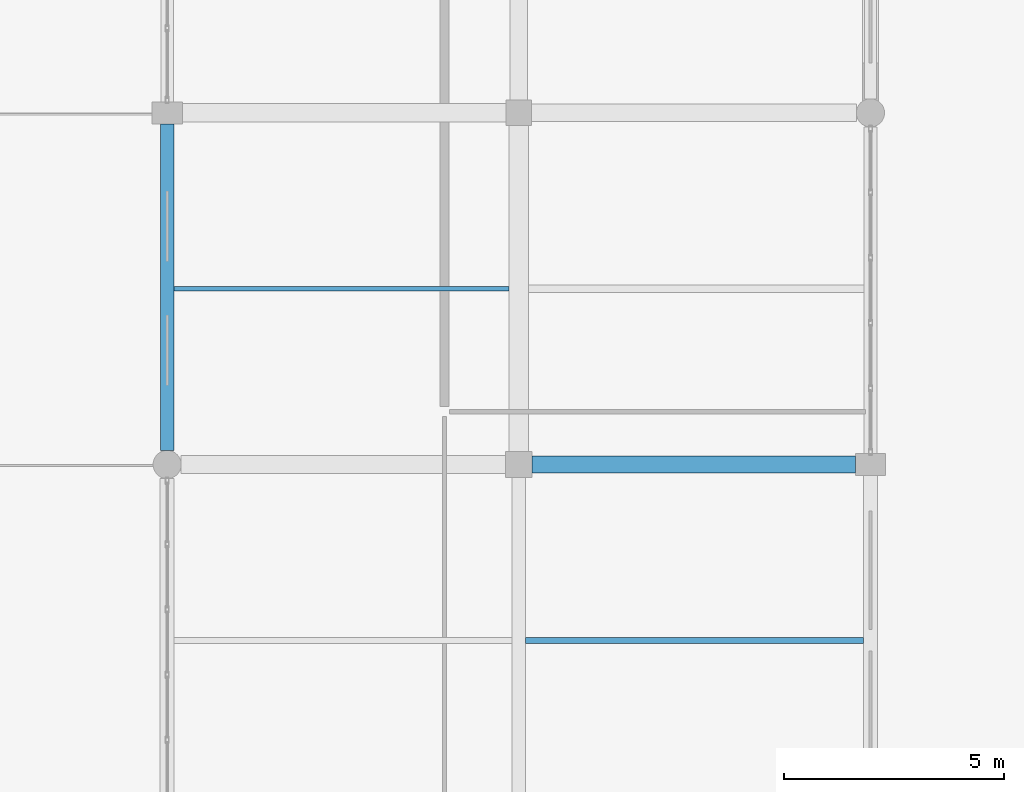
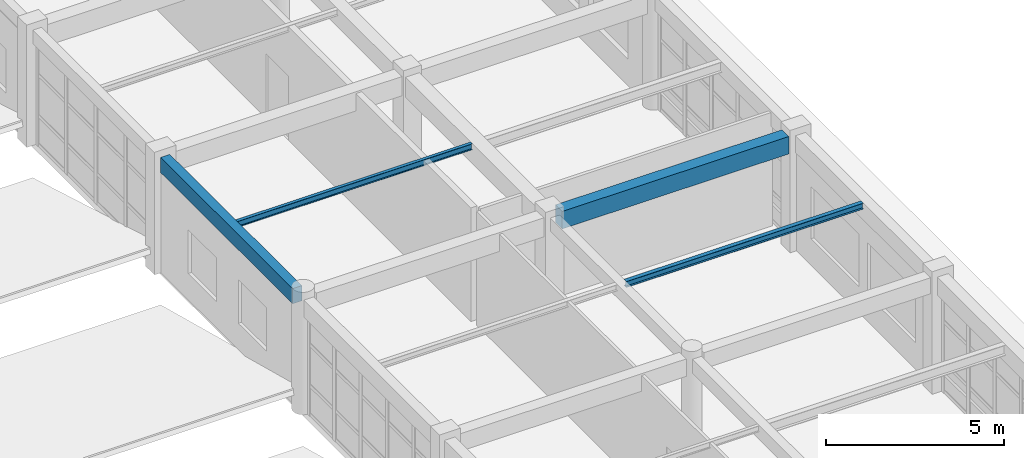
# One storey, part 47 of 121: 4 beams.
"""IFC4 building model written with IfcOpenShell, lengths in metres."""

from ifc_helpers import new_model, si_unit, direction, frame, origin, origin_2d, place, context, subcontext, project, spatial, rectangle, i_section, extrude, material, material_profile, profile_set, type_object, element, save


model = new_model("IFC4")

# Units and contexts
model_context = context("Model", 3, precision=1e-05, world=origin(), true_north=direction((0.0, 1.0)))
body_context = subcontext(model_context, "Body", "Model", "MODEL_VIEW")
ifc_project = project(units=[si_unit("LENGTHUNIT", "METRE"), si_unit("AREAUNIT", "SQUARE_METRE"), si_unit("VOLUMEUNIT", "CUBIC_METRE"), si_unit("PLANEANGLEUNIT", "RADIAN"), si_unit("MASSUNIT", "GRAM", prefix="KILO")], contexts=[model_context])

# Site, building, storey
site_placement = place(None, origin())
site = spatial("IfcSite", under=ifc_project, at=site_placement, CompositionType="ELEMENT")
building_placement = place(site_placement, origin())
building = spatial("IfcBuilding", under=site, at=building_placement, Name="Kharva Crest Polytechnic", CompositionType="ELEMENT")
storey_placement = place(building_placement, frame((0.0, 0.0, 13.199951171875)))
storey = spatial("IfcBuildingStorey", under=building, at=storey_placement, Name="L03", CompositionType="ELEMENT", Elevation=13.199951171875)

# Beams
ifc_material_1 = material(Name="Concrete C35/45", Category="concrete")
ifc_material_profile_1 = material_profile(ifc_material_1, rectangle(XDim=0.3798828125, YDim=0.60009765625, at=origin_2d()), Name="RECT 380 X 600")
ifc_profile_set_1 = profile_set([ifc_material_profile_1], Name="Concrete C35/45")
beam_type_1 = type_object("IfcBeamType", Name="BM-RC-380X600", PredefinedType="BEAM", material=ifc_profile_set_1)
beam_1_placement = place(storey_placement, frame((40.300048828125, 70.800048828125, 3.66015625), z_axis=(1.0, 0.0, 0.0), x_axis=(0.0, 1.0, 0.0)))
element("IfcBeam", 1, at=beam_1_placement, inside=storey, type_object=beam_type_1, Name="L03 Beam K/6-7", PredefinedType="BEAM", context=body_context, shape_type="SweptSolid", body=[
    extrude(rectangle(XDim=0.3798828125, YDim=0.60009765625, at=origin_2d()), origin(), (0.0, 0.0, 1.0), 7.35986328125),
])
ifc_material_2 = material(Name="Steel S355", Category="steel")
ifc_material_profile_2 = material_profile(ifc_material_2, i_section(OverallWidth=0.10205078125, OverallDepth=0.2060546875, WebThickness=0.006103515625, FlangeThickness=0.008056640625, at=origin_2d()), Name="W200X22.5")
ifc_profile_set_2 = profile_set([ifc_material_profile_2], Name="Steel S355")
beam_type_2 = type_object("IfcBeamType", Name="BM-STL-W200X22", PredefinedType="JOIST", material=ifc_profile_set_2)
beam_2_placement = place(storey_placement, frame((32.14990234375, 74.800048828125, 3.85693359375), z_axis=(1.0, 0.0, 0.0), x_axis=(0.0, 1.0, 0.0)))
element("IfcBeam", 2, at=beam_2_placement, inside=storey, type_object=beam_type_2, Name="L03 Floor Joist 7", PredefinedType="JOIST", context=body_context, shape_type="SweptSolid", body=[
    extrude(i_section(OverallWidth=0.10205078125, OverallDepth=0.2060546875, WebThickness=0.006103515625, FlangeThickness=0.008056640625, at=origin_2d()), origin(), (0.0, 0.0, 1.0), 7.625),
])
ifc_material_profile_3 = material_profile(ifc_material_2, i_section(OverallWidth=0.133056640625, OverallDepth=0.20703125, WebThickness=0.005859375, FlangeThickness=0.00830078125, at=origin_2d()), Name="W200X26.6")
ifc_profile_set_3 = profile_set([ifc_material_profile_3], Name="Steel S355")
beam_type_3 = type_object("IfcBeamType", Name="BM-STL-W200X26", PredefinedType="JOIST", material=ifc_profile_set_3)
beam_3_placement = place(storey_placement, frame((40.14990234375, 66.800048828125, 3.8564453125), z_axis=(1.0, 0.0, 0.0), x_axis=(0.0, 1.0, 0.0)))
element("IfcBeam", 3, at=beam_3_placement, inside=storey, type_object=beam_type_3, Name="L03 Floor Joist 6", PredefinedType="JOIST", context=body_context, shape_type="SweptSolid", body=[
    extrude(i_section(OverallWidth=0.133056640625, OverallDepth=0.20703125, WebThickness=0.005859375, FlangeThickness=0.00830078125, at=origin_2d()), origin(), (0.0, 0.0, 1.0), 7.690185546875),
])
ifc_material_profile_4 = material_profile(ifc_material_1, rectangle(XDim=0.300048828125, YDim=0.52001953125, at=origin_2d()), Name="RECT 300 X 520")
ifc_profile_set_4 = profile_set([ifc_material_profile_4], Name="Concrete C35/45")
beam_type_4 = type_object("IfcBeamType", Name="SP-RC-300X520", PredefinedType="SPANDREL", material=ifc_profile_set_4)
beam_4_placement = place(storey_placement, frame((32.0, 71.1201171875, 3.699951171875), z_axis=(0.0, 1.0, 0.0), x_axis=(-1.0, 0.0, 0.0)))
element("IfcBeam", 4, at=beam_4_placement, inside=storey, type_object=beam_type_4, Name="L03 Girder 5/K-L", PredefinedType="SPANDREL", context=body_context, shape_type="SweptSolid", body=[
    extrude(rectangle(XDim=0.300048828125, YDim=0.52001953125, at=origin_2d()), origin(), (0.0, 0.0, 1.0), 7.429931640625),
])

save(model, "model.ifc")
